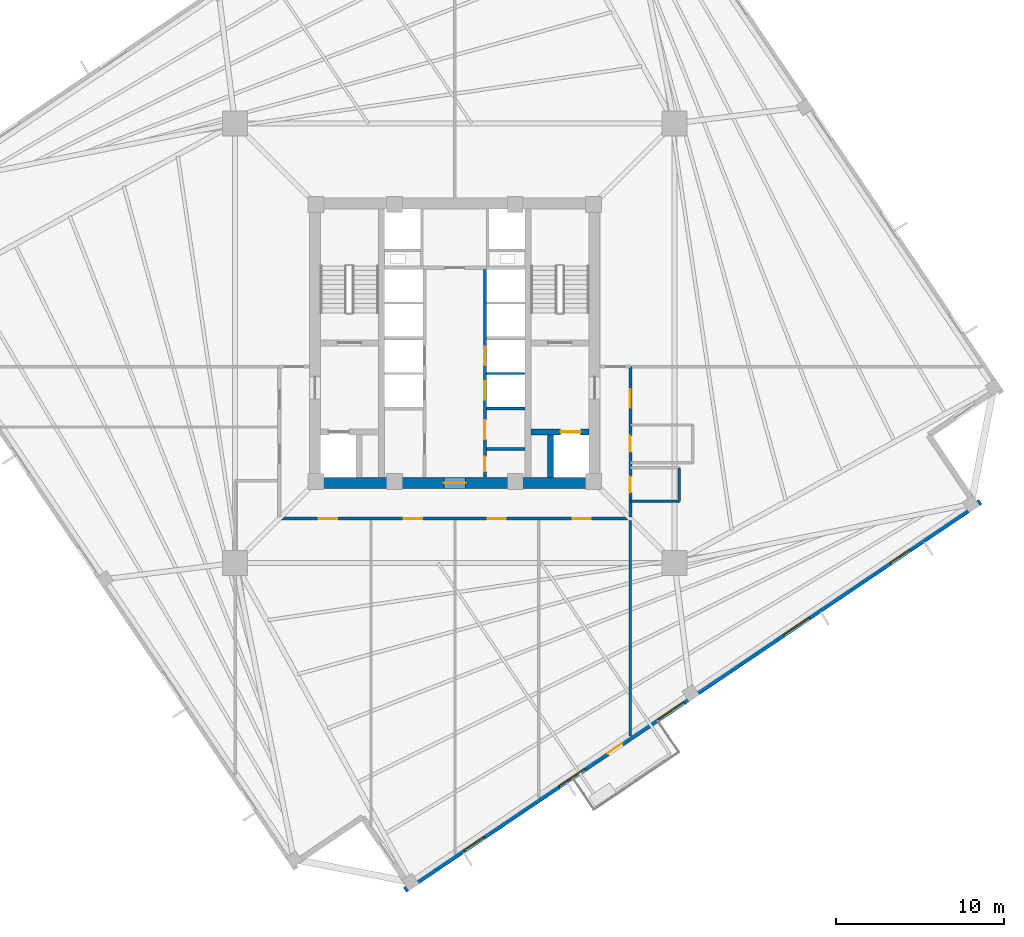
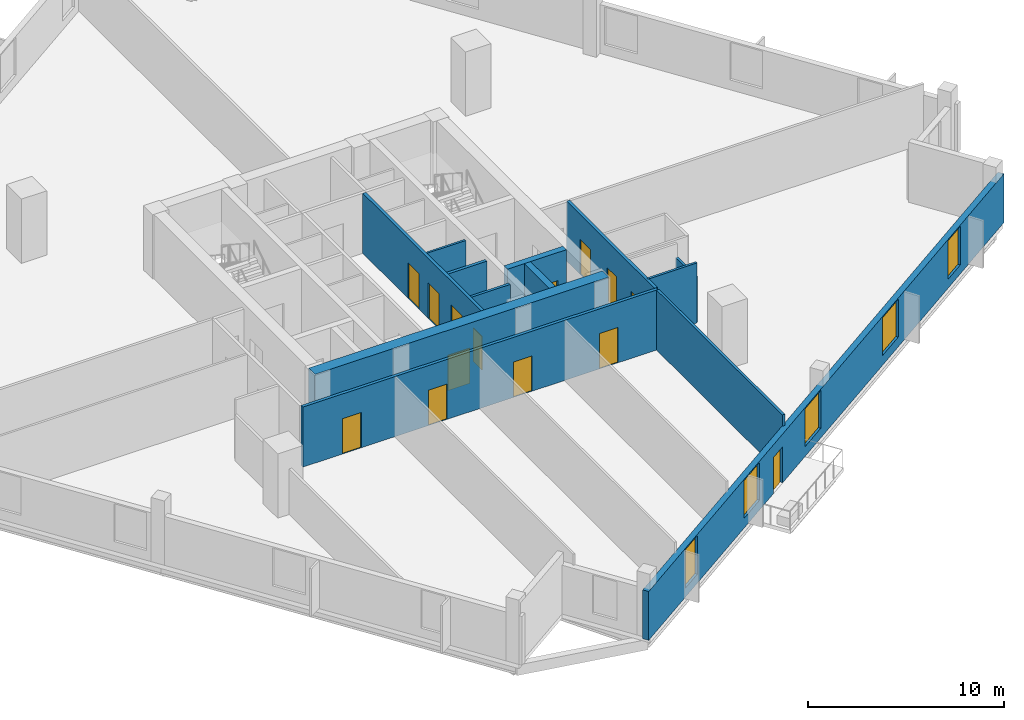
# One storey, part 3 of 8: 14 doors, 13 walls, 5 windows, 19 openings.
"""IFC4 building model written with IfcOpenShell, lengths in metres."""

from ifc_helpers import new_model, si_unit, direction, frame, frame_2d, origin, place, context, subcontext, project, spatial, rectangle, extrude, source, transform, mapped, material, layer, layer_set, type_object, element, fill, save


model = new_model("IFC4")

# Units and contexts
model_context = context("Model", 3, precision=1e-05, world=origin(), true_north=direction((0.0, 1.0)))
body_context = subcontext(model_context, "Body", "Model", "MODEL_VIEW")
ifc_project = project(units=[si_unit("LENGTHUNIT", "METRE"), si_unit("AREAUNIT", "SQUARE_METRE"), si_unit("VOLUMEUNIT", "CUBIC_METRE"), si_unit("PLANEANGLEUNIT", "RADIAN"), si_unit("MASSUNIT", "GRAM", prefix="KILO"), si_unit("THERMODYNAMICTEMPERATUREUNIT", "KELVIN")], contexts=[model_context])

# Site, building, storey
site_placement = place(None, origin())
site = spatial("IfcSite", under=ifc_project, at=site_placement, CompositionType="ELEMENT")
building_placement = place(site_placement, origin())
building = spatial("IfcBuilding", under=site, at=building_placement, Name="Kosmvard Interchange Tower", CompositionType="ELEMENT")
storey_placement = place(building_placement, frame((0.0, 0.0, 152.39990234375)))
storey = spatial("IfcBuildingStorey", under=building, at=storey_placement, Name="L36", CompositionType="ELEMENT", Elevation=152.39990234375)

# Walls
ifc_material_1 = material(Name="Acoustic gypsum partition system")
ifc_layer_1 = layer(ifc_material_1, 0.14990234375, Name="Acoustic gypsum partition system")
ifc_layer_set_1 = layer_set([ifc_layer_1], Name="Acoustic gypsum partition system")
wall_type_1 = type_object("IfcWallType", Name="Acoustic Suite & Meeting Partition 150", PredefinedType="PARTITIONING", material=ifc_layer_set_1)
wall_1_placement = place(storey_placement, frame((10.449951171875, -23.378173828125, 0.0), z_axis=(0.0, 0.0, 1.0), x_axis=(0.0, 1.0, 0.0)))
element("IfcWall", 1, at=wall_1_placement, inside=storey, type_object=wall_type_1, Name="L36 Room Partition 10.1", PredefinedType="PARTITIONING", context=body_context, shape_type="SweptSolid", body=[
    extrude(rectangle(XDim=12.833251953125, YDim=0.14990234375, at=frame_2d((6.41650390625, 0.0))), origin(), (0.0, 0.0, 1.0), 3.739990234375),
])
ifc_material_2 = material(Name="Fire-rated gypsum partition system")
ifc_layer_2 = layer(ifc_material_2, 0.159912109375, Name="Fire-rated gypsum partition system")
ifc_layer_set_2 = layer_set([ifc_layer_2], Name="Fire-rated gypsum partition system")
wall_type_2 = type_object("IfcWallType", Name="Core Compartment & Shuttle Lobby Partition 160", PredefinedType="PARTITIONING", material=ifc_layer_set_2)
wall_2_placement = place(storey_placement, frame((1.889892578125, -6.300048828125, 0.0), z_axis=(0.0, 0.0, 1.0), x_axis=(1.0, 0.0, 0.0)))
element("IfcWall", 2, at=wall_2_placement, inside=storey, type_object=wall_type_2, Name="L36 Reclaimed Split E", PredefinedType="PARTITIONING", context=body_context, shape_type="SweptSolid", body=[
    extrude(rectangle(XDim=2.280029296875, YDim=0.159912109375, at=frame_2d((1.14013671875, 0.0))), origin(), (0.0, 0.0, 1.0), 3.739990234375),
])

# Wall, openings, doors
ifc_layer_3 = layer(ifc_material_2, 0.179931640625, Name="Fire-rated gypsum partition system")
ifc_layer_set_3 = layer_set([ifc_layer_3], Name="Fire-rated gypsum partition system")
wall_type_3 = type_object("IfcWallType", Name="Corridor & Hotel Compartment Partition 180", PredefinedType="PARTITIONING", material=ifc_layer_set_3)
wall_3_placement = place(storey_placement, frame((1.7900390625, -7.97998046875, 0.0), z_axis=(0.0, 0.0, 1.0), x_axis=(0.0, 1.0, 0.0)))
wall_3 = element("IfcWall", 3, at=wall_3_placement, inside=storey, type_object=wall_type_3, Name="L36 East Lift Bank Front Wall", PredefinedType="PARTITIONING", context=body_context, shape_type="SweptSolid", body=[
    extrude(rectangle(XDim=12.3798828125, YDim=0.179931640625, at=frame_2d((6.18994140625, 0.0))), origin(), (0.0, 0.0, 1.0), 3.739990234375),
])
opening_1_placement = place(wall_3_placement, frame((4.60009765625, 0.0, 0.0)))
opening_1 = element("IfcOpeningElement", 4, at=opening_1_placement, cuts=wall_3, Name="Opening LD-PL-M3-L36", PredefinedType="OPENING", context=body_context, shape_type="SweptSolid", body=[
    extrude(rectangle(XDim=1.10009765625, YDim=2.199951171875, at=frame_2d((0.550048828125, 1.10009765625))), frame((0.0, 0.10009765625, 0.0), z_axis=(0.0, -1.0, 0.0), x_axis=(1.0, 0.0, 0.0)), (0.0, 0.0, 1.0), 0.199951171875),
])
opening_2_placement = place(wall_3_placement, frame((6.659912109375, 0.0, 0.0)))
opening_2 = element("IfcOpeningElement", 5, at=opening_2_placement, cuts=wall_3, Name="Opening LD-PL-M4-L36", PredefinedType="OPENING", context=body_context, shape_type="SweptSolid", body=[
    extrude(rectangle(XDim=1.10009765625, YDim=2.199951171875, at=frame_2d((0.550048828125, 1.10009765625))), frame((0.0, 0.10009765625, 0.0), z_axis=(0.0, -1.0, 0.0), x_axis=(1.0, 0.0, 0.0)), (0.0, 0.0, 1.0), 0.199951171875),
])
opening_3_placement = place(wall_3_placement, frame((0.35009765625, 0.0, 0.0)))
opening_3 = element("IfcOpeningElement", 6, at=opening_3_placement, cuts=wall_3, Name="Opening L36-CD2", PredefinedType="OPENING", context=body_context, shape_type="SweptSolid", body=[
    extrude(rectangle(XDim=0.8798828125, YDim=2.10009765625, at=frame_2d((0.43994140625, 1.050048828125))), frame((0.0, 0.10009765625, 0.0), z_axis=(0.0, -1.0, 0.0), x_axis=(1.0, 0.0, 0.0)), (0.0, 0.0, 1.0), 0.199951171875),
])
opening_4_placement = place(wall_3_placement, frame((2.25, 0.0, 0.0)))
opening_4 = element("IfcOpeningElement", 7, at=opening_4_placement, cuts=wall_3, Name="Opening L36-CD3", PredefinedType="OPENING", context=body_context, shape_type="SweptSolid", body=[
    extrude(rectangle(XDim=1.14990234375, YDim=2.25, at=frame_2d((0.574951171875, 1.125))), frame((0.0, 0.10009765625, 0.0), z_axis=(0.0, -1.0, 0.0), x_axis=(1.0, 0.0, 0.0)), (0.0, 0.0, 1.0), 0.199951171875),
])
ifc_material_3 = material(Name="Painted fire-rated steel leaf", Category="steel")
door_type_1 = type_object("IfcDoorType", Name="Plant & Riser Fire Door 1150x2250 EI60", OperationType="NOTDEFINED", PredefinedType="DOOR", material=ifc_material_3)
shared_shape_1 = source(origin(), body_context, "Body", "SweptSolid", [
    extrude(rectangle(XDim=1.14990234375, YDim=2.25, at=frame_2d((0.574951171875, 1.125))), frame((0.0, 0.02490234375, 0.0), z_axis=(0.0, -1.0, 0.0), x_axis=(1.0, 0.0, 0.0)), (0.0, 0.0, 1.0), 0.050048828125),
])
door_1_placement = place(opening_4_placement, frame((1.14990234375, 0.0, 0.0), z_axis=(0.0, 0.0, 1.0), x_axis=(-1.0, 0.0, 0.0)))
door_1 = element("IfcDoor", 8, at=door_1_placement, inside=storey, type_object=door_type_1, Name="L36 Core Pantry Door", OperationType="SINGLE_SWING_LEFT", OverallHeight=2.25, OverallWidth=1.14990234375, PredefinedType="DOOR", context=body_context, shape_type="MappedRepresentation", body=[
    mapped(shared_shape_1, transform((0.0, 0.0, 0.0), scale=1.0)),
])
fill(opening_4, door_1)
ifc_material_4 = material(Name="Brushed stainless steel sliding leaf", Category="steel")
door_type_2 = type_object("IfcDoorType", Name="Passenger Lift Sliding Landing Door 1100x2200 EI60", OperationType="DOUBLE_DOOR_SLIDING", PredefinedType="DOOR", material=ifc_material_4)
shared_shape_2 = source(origin(), body_context, "Body", "SweptSolid", [
    extrude(rectangle(XDim=1.10009765625, YDim=2.199951171875, at=frame_2d((0.550048828125, 1.10009765625))), frame((0.0, 0.02490234375, 0.0), z_axis=(0.0, -1.0, 0.0), x_axis=(1.0, 0.0, 0.0)), (0.0, 0.0, 1.0), 0.050048828125),
])
door_2_placement = place(opening_1_placement, origin())
door_2 = element("IfcDoor", 9, at=door_2_placement, inside=storey, type_object=door_type_2, Name="Lift PL-M3 Landing Door L36", OperationType="DOUBLE_DOOR_SLIDING", OverallHeight=2.199951171875, OverallWidth=1.10009765625, PredefinedType="DOOR", context=body_context, shape_type="MappedRepresentation", body=[
    mapped(shared_shape_2, transform((0.0, 0.0, 0.0), scale=1.0)),
])
fill(opening_1, door_2)
door_3_placement = place(opening_2_placement, origin())
door_3 = element("IfcDoor", 10, at=door_3_placement, inside=storey, type_object=door_type_2, Name="Lift PL-M4 Landing Door L36", OperationType="DOUBLE_DOOR_SLIDING", OverallHeight=2.199951171875, OverallWidth=1.10009765625, PredefinedType="DOOR", context=body_context, shape_type="MappedRepresentation", body=[
    mapped(shared_shape_2, transform((0.0, 0.0, 0.0), scale=1.0)),
])
fill(opening_2, door_3)
ifc_material_5 = material(Name="Painted fire-rated timber leaf", Category="wood")
door_type_3 = type_object("IfcDoorType", Name="Core Cupboard Fire Door 880x2100 EI30", OperationType="NOTDEFINED", PredefinedType="DOOR", material=ifc_material_5)
shared_shape_3 = source(origin(), body_context, "Body", "SweptSolid", [
    extrude(rectangle(XDim=0.8798828125, YDim=2.10009765625, at=frame_2d((0.43994140625, 1.050048828125))), frame((0.0, 0.02490234375, 0.0), z_axis=(0.0, -1.0, 0.0), x_axis=(1.0, 0.0, 0.0)), (0.0, 0.0, 1.0), 0.050048828125),
])
door_4_placement = place(opening_3_placement, frame((0.8798828125, 0.0, 0.0), z_axis=(0.0, 0.0, 1.0), x_axis=(-1.0, 0.0, 0.0)))
door_4 = element("IfcDoor", 11, at=door_4_placement, inside=storey, type_object=door_type_3, Name="L36 Core Cleaner Door", OperationType="SINGLE_SWING_RIGHT", OverallHeight=2.10009765625, OverallWidth=0.8798828125, PredefinedType="DOOR", context=body_context, shape_type="MappedRepresentation", body=[
    mapped(shared_shape_3, transform((0.0, 0.0, 0.0), scale=1.0)),
])
fill(opening_3, door_4)

wall_4_placement = place(storey_placement, frame((-10.449951171875, -10.449951171875, 0.0), z_axis=(0.0, 0.0, 1.0), x_axis=(1.0, 0.0, 0.0)))
wall_4 = element("IfcWall", 12, at=wall_4_placement, inside=storey, type_object=wall_type_3, Name="L36 Corridor Wall CS", PredefinedType="PARTITIONING", context=body_context, shape_type="SweptSolid", body=[
    extrude(rectangle(XDim=20.89990234375, YDim=0.179931640625, at=frame_2d((10.449951171875, 0.0))), origin(), (0.0, 0.0, 1.0), 3.739990234375),
])
opening_5_placement = place(wall_4_placement, frame((2.33935546875, 0.0, 0.0)))
opening_5 = element("IfcOpeningElement", 13, at=opening_5_placement, cuts=wall_4, Name="Opening L36-D07", PredefinedType="OPENING", context=body_context, shape_type="SweptSolid", body=[
    extrude(rectangle(XDim=1.10009765625, YDim=2.199951171875, at=frame_2d((0.550048828125, 1.10009765625))), frame((0.0, 0.10009765625, 0.0), z_axis=(0.0, -1.0, 0.0), x_axis=(1.0, 0.0, 0.0)), (0.0, 0.0, 1.0), 0.199951171875),
])
opening_6_placement = place(wall_4_placement, frame((7.39990234375, 0.0, 0.0)))
opening_6 = element("IfcOpeningElement", 14, at=opening_6_placement, cuts=wall_4, Name="Opening L36-D08", PredefinedType="OPENING", context=body_context, shape_type="SweptSolid", body=[
    extrude(rectangle(XDim=1.10009765625, YDim=2.199951171875, at=frame_2d((0.550048828125, 1.10009765625))), frame((0.0, 0.10009765625, 0.0), z_axis=(0.0, -1.0, 0.0), x_axis=(1.0, 0.0, 0.0)), (0.0, 0.0, 1.0), 0.199951171875),
])
opening_7_placement = place(wall_4_placement, frame((12.39990234375, 0.0, 0.0)))
opening_7 = element("IfcOpeningElement", 15, at=opening_7_placement, cuts=wall_4, Name="Opening L36-D09", PredefinedType="OPENING", context=body_context, shape_type="SweptSolid", body=[
    extrude(rectangle(XDim=1.10009765625, YDim=2.199951171875, at=frame_2d((0.550048828125, 1.10009765625))), frame((0.0, 0.10009765625, 0.0), z_axis=(0.0, -1.0, 0.0), x_axis=(1.0, 0.0, 0.0)), (0.0, 0.0, 1.0), 0.199951171875),
])
opening_8_placement = place(wall_4_placement, frame((17.46044921875, 0.0, 0.0)))
opening_8 = element("IfcOpeningElement", 16, at=opening_8_placement, cuts=wall_4, Name="Opening L36-D10", PredefinedType="OPENING", context=body_context, shape_type="SweptSolid", body=[
    extrude(rectangle(XDim=1.10009765625, YDim=2.199951171875, at=frame_2d((0.550048828125, 1.10009765625))), frame((0.0, 0.10009765625, 0.0), z_axis=(0.0, -1.0, 0.0), x_axis=(1.0, 0.0, 0.0)), (0.0, 0.0, 1.0), 0.199951171875),
])
ifc_material_6 = material(Name="Engineered oak fire-rated timber", Category="wood")
door_type_4 = type_object("IfcDoorType", Name="Office Suite Entrance Door 1100x2200 FD30S", OperationType="NOTDEFINED", PredefinedType="DOOR", material=ifc_material_6)
door_5_placement = place(opening_5_placement, frame((1.10009765625, 0.0, 0.0), z_axis=(0.0, 0.0, 1.0), x_axis=(-1.0, 0.0, 0.0)))
door_5 = element("IfcDoor", 17, at=door_5_placement, inside=storey, type_object=door_type_4, Name="L36 South-West Corner Office 2 Door", OperationType="SINGLE_SWING_LEFT", OverallHeight=2.199951171875, OverallWidth=1.10009765625, PredefinedType="DOOR", context=body_context, shape_type="MappedRepresentation", body=[
    mapped(shared_shape_2, transform((0.0, 0.0, 0.0), scale=1.0)),
])
fill(opening_5, door_5)
door_6_placement = place(opening_6_placement, frame((1.10009765625, 0.0, 0.0), z_axis=(0.0, 0.0, 1.0), x_axis=(-1.0, 0.0, 0.0)))
door_6 = element("IfcDoor", 18, at=door_6_placement, inside=storey, type_object=door_type_4, Name="L36 South Briefing Room 1 Door", OperationType="SINGLE_SWING_RIGHT", OverallHeight=2.199951171875, OverallWidth=1.10009765625, PredefinedType="DOOR", context=body_context, shape_type="MappedRepresentation", body=[
    mapped(shared_shape_2, transform((0.0, 0.0, 0.0), scale=1.0)),
])
fill(opening_6, door_6)
door_7_placement = place(opening_7_placement, frame((1.10009765625, 0.0, 0.0), z_axis=(0.0, 0.0, 1.0), x_axis=(-1.0, 0.0, 0.0)))
door_7 = element("IfcDoor", 19, at=door_7_placement, inside=storey, type_object=door_type_4, Name="L36 South Boardroom 2 Door", OperationType="SINGLE_SWING_LEFT", OverallHeight=2.199951171875, OverallWidth=1.10009765625, PredefinedType="DOOR", context=body_context, shape_type="MappedRepresentation", body=[
    mapped(shared_shape_2, transform((0.0, 0.0, 0.0), scale=1.0)),
])
fill(opening_7, door_7)
door_8_placement = place(opening_8_placement, frame((1.10009765625, 0.0, 0.0), z_axis=(0.0, 0.0, 1.0), x_axis=(-1.0, 0.0, 0.0)))
door_8 = element("IfcDoor", 20, at=door_8_placement, inside=storey, type_object=door_type_4, Name="L36 South Advisory Office 3 Door", OperationType="SINGLE_SWING_RIGHT", OverallHeight=2.199951171875, OverallWidth=1.10009765625, PredefinedType="DOOR", context=body_context, shape_type="MappedRepresentation", body=[
    mapped(shared_shape_2, transform((0.0, 0.0, 0.0), scale=1.0)),
])
fill(opening_8, door_8)

wall_5_placement = place(storey_placement, frame((10.449951171875, -10.35009765625, 0.0), z_axis=(0.0, 0.0, 1.0), x_axis=(0.0, 1.0, 0.0)))
wall_5 = element("IfcWall", 21, at=wall_5_placement, inside=storey, type_object=wall_type_3, Name="L36 Corridor Wall CE", PredefinedType="PARTITIONING", context=body_context, shape_type="SweptSolid", body=[
    extrude(rectangle(XDim=8.9501953125, YDim=0.179931640625, at=frame_2d((4.47509765625, 0.0))), origin(), (0.0, 0.0, 1.0), 3.739990234375),
])
opening_9_placement = place(wall_5_placement, frame((1.455078125, 0.0, 0.0)))
opening_9 = element("IfcOpeningElement", 22, at=opening_9_placement, cuts=wall_5, Name="Opening L36-D01", PredefinedType="OPENING", context=body_context, shape_type="SweptSolid", body=[
    extrude(rectangle(XDim=0.949951171875, YDim=2.10009765625, at=frame_2d((0.47509765625, 1.050048828125))), frame((0.0, 0.10009765625, 0.0), z_axis=(0.0, -1.0, 0.0), x_axis=(1.0, 0.0, 0.0)), (0.0, 0.0, 1.0), 0.199951171875),
])
opening_10_placement = place(wall_5_placement, frame((3.879150390625, 0.0, 0.0)))
opening_10 = element("IfcOpeningElement", 23, at=opening_10_placement, cuts=wall_5, Name="Opening L36-D02", PredefinedType="OPENING", context=body_context, shape_type="SweptSolid", body=[
    extrude(rectangle(XDim=0.949951171875, YDim=2.10009765625, at=frame_2d((0.47509765625, 1.050048828125))), frame((0.0, 0.10009765625, 0.0), z_axis=(0.0, -1.0, 0.0), x_axis=(1.0, 0.0, 0.0)), (0.0, 0.0, 1.0), 0.199951171875),
])
opening_11_placement = place(wall_5_placement, frame((6.494140625, 0.0, 0.0)))
opening_11 = element("IfcOpeningElement", 24, at=opening_11_placement, cuts=wall_5, Name="Opening L36-D11", PredefinedType="OPENING", context=body_context, shape_type="SweptSolid", body=[
    extrude(rectangle(XDim=1.10009765625, YDim=2.199951171875, at=frame_2d((0.550048828125, 1.10009765625))), frame((0.0, 0.10009765625, 0.0), z_axis=(0.0, -1.0, 0.0), x_axis=(1.0, 0.0, 0.0)), (0.0, 0.0, 1.0), 0.199951171875),
])
ifc_material_7 = material(Name="Laminated moisture-resistant timber", Category="wood")
door_type_5 = type_object("IfcDoorType", Name="Accessible Washroom Door 950x2100", OperationType="NOTDEFINED", PredefinedType="DOOR", material=ifc_material_7)
shared_shape_4 = source(origin(), body_context, "Body", "SweptSolid", [
    extrude(rectangle(XDim=0.949951171875, YDim=2.10009765625, at=frame_2d((0.47509765625, 1.050048828125))), frame((0.0, 0.02490234375, 0.0), z_axis=(0.0, -1.0, 0.0), x_axis=(1.0, 0.0, 0.0)), (0.0, 0.0, 1.0), 0.050048828125),
])
door_9_placement = place(opening_9_placement, frame((0.949951171875, 0.0, 0.0), z_axis=(0.0, 0.0, 1.0), x_axis=(-1.0, 0.0, 0.0)))
door_9 = element("IfcDoor", 25, at=door_9_placement, inside=storey, type_object=door_type_5, Name="L36 Accessible Toilet Door", OperationType="SINGLE_SWING_LEFT", OverallHeight=2.10009765625, OverallWidth=0.949951171875, PredefinedType="DOOR", context=body_context, shape_type="MappedRepresentation", body=[
    mapped(shared_shape_4, transform((0.0, 0.0, 0.0), scale=1.0)),
])
fill(opening_9, door_9)
door_10_placement = place(opening_10_placement, frame((0.949951171875, 0.0, 0.0), z_axis=(0.0, 0.0, 1.0), x_axis=(-1.0, 0.0, 0.0)))
door_10 = element("IfcDoor", 26, at=door_10_placement, inside=storey, type_object=door_type_5, Name="L36 Public Floor Washroom Door", OperationType="SINGLE_SWING_RIGHT", OverallHeight=2.10009765625, OverallWidth=0.949951171875, PredefinedType="DOOR", context=body_context, shape_type="MappedRepresentation", body=[
    mapped(shared_shape_4, transform((0.0, 0.0, 0.0), scale=1.0)),
])
fill(opening_10, door_10)
door_11_placement = place(opening_11_placement, frame((1.10009765625, 0.0, 0.0), z_axis=(0.0, 0.0, 1.0), x_axis=(-1.0, 0.0, 0.0)))
door_11 = element("IfcDoor", 27, at=door_11_placement, inside=storey, type_object=door_type_4, Name="L36 South-East Open Engineering Studio Door", OperationType="SINGLE_SWING_LEFT", OverallHeight=2.199951171875, OverallWidth=1.10009765625, PredefinedType="DOOR", context=body_context, shape_type="MappedRepresentation", body=[
    mapped(shared_shape_2, transform((0.0, 0.0, 0.0), scale=1.0)),
])
fill(opening_11, door_11)

# Wall, opening, door
ifc_material_8 = material(Name="Concrete C70/85", Category="concrete")
ifc_layer_4 = layer(ifc_material_8, 0.64990234375, Name="Concrete C70/85")
ifc_layer_set_4 = layer_set([ifc_layer_4], Name="Concrete C70/85")
wall_type_4 = type_object("IfcWallType", Name="Mid Core Shear Wall 650 C70/85", PredefinedType="SHEAR", material=ifc_layer_set_4)
wall_6_placement = place(storey_placement, frame((-8.64990234375, -8.324951171875, 0.0), z_axis=(0.0, 0.0, 1.0), x_axis=(1.0, 0.0, 0.0)))
wall_6 = element("IfcWall", 28, at=wall_6_placement, inside=storey, type_object=wall_type_4, Name="L36 Core Shear Wall CW-S", PredefinedType="SHEAR", context=body_context, shape_type="SweptSolid", body=[
    extrude(rectangle(XDim=17.2998046875, YDim=0.64990234375, at=frame_2d((8.64990234375, 0.0))), origin(), (0.0, 0.0, 1.0), 4.0),
])
opening_12_placement = place(wall_6_placement, frame((8.0, 0.0, 0.0)))
opening_12 = element("IfcOpeningElement", 29, at=opening_12_placement, cuts=wall_6, Name="Opening L36-LD0", PredefinedType="OPENING", context=body_context, shape_type="SweptSolid", body=[
    extrude(rectangle(XDim=1.300048828125, YDim=2.199951171875, at=frame_2d((0.64990234375, 1.10009765625))), frame((0.0, 0.3349609375, 0.0), z_axis=(0.0, -1.0, 0.0), x_axis=(1.0, 0.0, 0.0)), (0.0, 0.0, 1.0), 0.669921875),
])
door_type_6 = type_object("IfcDoorType", Name="Firefighting Lobby Door 1300x2200 EI60", OperationType="NOTDEFINED", PredefinedType="DOOR", material=ifc_material_3)
shared_shape_5 = source(origin(), body_context, "Body", "SweptSolid", [
    extrude(rectangle(XDim=1.300048828125, YDim=2.199951171875, at=frame_2d((0.64990234375, 1.10009765625))), frame((0.0, 0.02490234375, 0.0), z_axis=(0.0, -1.0, 0.0), x_axis=(1.0, 0.0, 0.0)), (0.0, 0.0, 1.0), 0.050048828125),
])
door_12_placement = place(opening_12_placement, frame((1.300048828125, 0.0, 0.0), z_axis=(0.0, 0.0, 1.0), x_axis=(-1.0, 0.0, 0.0)))
door_12 = element("IfcDoor", 30, at=door_12_placement, inside=storey, type_object=door_type_6, Name="L36 Passenger Lift Lobby South Door", OperationType="SINGLE_SWING_RIGHT", OverallHeight=2.199951171875, OverallWidth=1.300048828125, PredefinedType="DOOR", context=body_context, shape_type="MappedRepresentation", body=[
    mapped(shared_shape_5, transform((0.0, 0.0, 0.0), scale=1.0)),
])
fill(opening_12, door_12)

# Wall, openings, door, windows
ifc_material_9 = material(Name="Precast concrete C45/55", Category="concrete")
ifc_layer_5 = layer(ifc_material_9, 0.340087890625, Name="Precast concrete C45/55")
ifc_layer_set_5 = layer_set([ifc_layer_5], Name="Precast concrete C45/55")
wall_type_5 = type_object("IfcWallType", Name="Mid Tower Precast Pier Wall 340 C45/55", PredefinedType="STANDARD", material=ifc_layer_set_5)
wall_7_placement = place(storey_placement, frame((-2.971923828125, -32.55810546875, 0.0), z_axis=(0.0, 0.0, 1.0), x_axis=(0.829036218961, 0.559194910251, 0.0)))
wall_7 = element("IfcWall", 31, at=wall_7_placement, inside=storey, type_object=wall_type_5, Name="L36 Precast Facade Wall F-S", PredefinedType="STANDARD", context=body_context, shape_type="SweptSolid", body=[
    extrude(rectangle(XDim=41.340087890625, YDim=0.340087890625, at=frame_2d((20.669921875, 0.0))), origin(), (0.0, 0.0, 1.0), 3.0400390625),
])
opening_13_placement = place(wall_7_placement, frame((14.544921875, 0.0, 0.0)))
opening_13 = element("IfcOpeningElement", 32, at=opening_13_placement, cuts=wall_7, Name="Opening L36-BDS", PredefinedType="OPENING", context=body_context, shape_type="SweptSolid", body=[
    extrude(rectangle(XDim=1.050048828125, YDim=2.25, at=frame_2d((0.52490234375, 1.125))), frame((0.0, 0.18017578125, 0.0), z_axis=(0.0, -1.0, 0.0), x_axis=(1.0, 0.0, 0.0)), (0.0, 0.0, 1.0), 0.360107421875),
])
opening_14_placement = place(wall_7_placement, frame((4.2607421875, 0.0, 0.56005859375)))
opening_14 = element("IfcOpeningElement", 33, at=opening_14_placement, cuts=wall_7, Name="Opening L36-W01", PredefinedType="OPENING", context=body_context, shape_type="SweptSolid", body=[
    extrude(rectangle(XDim=1.39990234375, YDim=2.39990234375, at=frame_2d((0.699951171875, 1.199951171875))), frame((0.0, 0.18017578125, 0.0), z_axis=(0.0, -1.0, 0.0), x_axis=(1.0, 0.0, 0.0)), (0.0, 0.0, 1.0), 0.360107421875),
])
opening_15_placement = place(wall_7_placement, frame((11.063720703125, 0.0, 0.610107421875)))
opening_15 = element("IfcOpeningElement", 34, at=opening_15_placement, cuts=wall_7, Name="Opening L36-W02", PredefinedType="OPENING", context=body_context, shape_type="SweptSolid", body=[
    extrude(rectangle(XDim=1.85009765625, YDim=2.35009765625, at=frame_2d((0.925048828125, 1.175048828125))), frame((0.0, 0.18017578125, 0.0), z_axis=(0.0, -1.0, 0.0), x_axis=(1.0, 0.0, 0.0)), (0.0, 0.0, 1.0), 0.360107421875),
])
opening_16_placement = place(wall_7_placement, frame((18.168212890625, 0.0, 0.610107421875)))
opening_16 = element("IfcOpeningElement", 35, at=opening_16_placement, cuts=wall_7, Name="Opening L36-W03", PredefinedType="OPENING", context=body_context, shape_type="SweptSolid", body=[
    extrude(rectangle(XDim=1.85009765625, YDim=2.35009765625, at=frame_2d((0.925048828125, 1.175048828125))), frame((0.0, 0.18017578125, 0.0), z_axis=(0.0, -1.0, 0.0), x_axis=(1.0, 0.0, 0.0)), (0.0, 0.0, 1.0), 0.360107421875),
])
opening_17_placement = place(wall_7_placement, frame((27.186279296875, 0.0, 0.610107421875)))
opening_17 = element("IfcOpeningElement", 36, at=opening_17_placement, cuts=wall_7, Name="Opening L36-W04", PredefinedType="OPENING", context=body_context, shape_type="SweptSolid", body=[
    extrude(rectangle(XDim=1.85009765625, YDim=2.35009765625, at=frame_2d((0.925048828125, 1.175048828125))), frame((0.0, 0.18017578125, 0.0), z_axis=(0.0, -1.0, 0.0), x_axis=(1.0, 0.0, 0.0)), (0.0, 0.0, 1.0), 0.360107421875),
])
opening_18_placement = place(wall_7_placement, frame((34.852294921875, 0.0, 0.56005859375)))
opening_18 = element("IfcOpeningElement", 37, at=opening_18_placement, cuts=wall_7, Name="Opening L36-W05", PredefinedType="OPENING", context=body_context, shape_type="SweptSolid", body=[
    extrude(rectangle(XDim=1.39990234375, YDim=2.39990234375, at=frame_2d((0.699951171875, 1.199951171875))), frame((0.0, 0.18017578125, 0.0), z_axis=(0.0, -1.0, 0.0), x_axis=(1.0, 0.0, 0.0)), (0.0, 0.0, 1.0), 0.360107421875),
])
ifc_material_10 = material(Name="Anodised aluminium and safety glass", Category="aluminium")
door_type_7 = type_object("IfcDoorType", Name="Tree-Balcony Glazed Door 1050x2250", OperationType="NOTDEFINED", PredefinedType="DOOR", material=ifc_material_10)
shared_shape_6 = source(origin(), body_context, "Body", "SweptSolid", [
    extrude(rectangle(XDim=1.050048828125, YDim=2.25, at=frame_2d((0.52490234375, 1.125))), frame((0.0, 0.02490234375, 0.0), z_axis=(0.0, -1.0, 0.0), x_axis=(1.0, 0.0, 0.0)), (0.0, 0.0, 1.0), 0.050048828125),
])
door_13_placement = place(opening_13_placement, origin())
door_13 = element("IfcDoor", 38, at=door_13_placement, inside=storey, type_object=door_type_7, Name="L36 Tree-Balcony Door BAL-L36-S", OperationType="SINGLE_SWING_LEFT", OverallHeight=2.25, OverallWidth=1.050048828125, PredefinedType="DOOR", context=body_context, shape_type="MappedRepresentation", body=[
    mapped(shared_shape_6, transform((0.0, 0.0, 0.0), scale=1.0)),
])
fill(opening_13, door_13)
ifc_material_11 = material(Name="Low-E solar-control double glazing", Category="glass")
window_type_1 = type_object("IfcWindowType", Name="Notched Corner Feature Window 1400x2400", PartitioningType="SINGLE_PANEL", PredefinedType="WINDOW", material=ifc_material_11)
shared_shape_7 = source(origin(), body_context, "Body", "SweptSolid", [
    extrude(rectangle(XDim=1.39990234375, YDim=2.39990234375, at=frame_2d((0.699951171875, 1.199951171875))), frame((0.0, 0.030029296875, 0.0), z_axis=(0.0, -1.0, 0.0), x_axis=(1.0, 0.0, 0.0)), (0.0, 0.0, 1.0), 0.06005859375),
])
window_1_placement = place(opening_14_placement, origin())
window_1 = element("IfcWindow", 39, at=window_1_placement, inside=storey, type_object=window_type_1, Name="L36 Facade Punched Window 01", OverallHeight=2.39990234375, OverallWidth=1.39990234375, PartitioningType="SINGLE_PANEL", PredefinedType="WINDOW", context=body_context, shape_type="MappedRepresentation", body=[
    mapped(shared_shape_7, transform((0.0, 0.0, 0.0), scale=1.0)),
])
fill(opening_14, window_1)
window_2_placement = place(opening_18_placement, origin())
window_2 = element("IfcWindow", 40, at=window_2_placement, inside=storey, type_object=window_type_1, Name="L36 Facade Punched Window 05", OverallHeight=2.39990234375, OverallWidth=1.39990234375, PartitioningType="SINGLE_PANEL", PredefinedType="WINDOW", context=body_context, shape_type="MappedRepresentation", body=[
    mapped(shared_shape_7, transform((0.0, 0.0, 0.0), scale=1.0)),
])
fill(opening_18, window_2)
window_type_2 = type_object("IfcWindowType", Name="Zone 3 Office Punched Window 1850x2350", PartitioningType="SINGLE_PANEL", PredefinedType="WINDOW", material=ifc_material_11)
shared_shape_8 = source(origin(), body_context, "Body", "SweptSolid", [
    extrude(rectangle(XDim=1.85009765625, YDim=2.35009765625, at=frame_2d((0.925048828125, 1.175048828125))), frame((0.0, 0.030029296875, 0.0), z_axis=(0.0, -1.0, 0.0), x_axis=(1.0, 0.0, 0.0)), (0.0, 0.0, 1.0), 0.06005859375),
])
window_3_placement = place(opening_15_placement, origin())
window_3 = element("IfcWindow", 41, at=window_3_placement, inside=storey, type_object=window_type_2, Name="L36 Facade Punched Window 02", OverallHeight=2.35009765625, OverallWidth=1.85009765625, PartitioningType="SINGLE_PANEL", PredefinedType="WINDOW", context=body_context, shape_type="MappedRepresentation", body=[
    mapped(shared_shape_8, transform((0.0, 0.0, 0.0), scale=1.0)),
])
fill(opening_15, window_3)
window_4_placement = place(opening_16_placement, origin())
window_4 = element("IfcWindow", 42, at=window_4_placement, inside=storey, type_object=window_type_2, Name="L36 Facade Punched Window 03", OverallHeight=2.35009765625, OverallWidth=1.85009765625, PartitioningType="SINGLE_PANEL", PredefinedType="WINDOW", context=body_context, shape_type="MappedRepresentation", body=[
    mapped(shared_shape_8, transform((0.0, 0.0, 0.0), scale=1.0)),
])
fill(opening_16, window_4)
window_5_placement = place(opening_17_placement, origin())
window_5 = element("IfcWindow", 43, at=window_5_placement, inside=storey, type_object=window_type_2, Name="L36 Facade Punched Window 04", OverallHeight=2.35009765625, OverallWidth=1.85009765625, PartitioningType="SINGLE_PANEL", PredefinedType="WINDOW", context=body_context, shape_type="MappedRepresentation", body=[
    mapped(shared_shape_8, transform((0.0, 0.0, 0.0), scale=1.0)),
])
fill(opening_17, window_5)

# Walls
ifc_material_12 = material(Name="Concrete blockwork masonry", Category="masonry")
ifc_layer_6 = layer(ifc_material_12, 0.179931640625, Name="Concrete blockwork masonry")
ifc_layer_set_6 = layer_set([ifc_layer_6], Name="Concrete blockwork masonry")
wall_type_6 = type_object("IfcWallType", Name="Riser & Lift Bank Divider Wall 180", PredefinedType="PARTITIONING", material=ifc_layer_set_6)
wall_8_placement = place(storey_placement, frame((1.889892578125, -3.89990234375, 0.0), z_axis=(0.0, 0.0, 1.0), x_axis=(1.0, 0.0, 0.0)))
element("IfcWall", 44, at=wall_8_placement, inside=storey, type_object=wall_type_6, Name="L36 East Bank Divider BD1", PredefinedType="PARTITIONING", context=body_context, shape_type="SweptSolid", body=[
    extrude(rectangle(XDim=2.280029296875, YDim=0.179931640625, at=frame_2d((1.14013671875, 0.0))), origin(), (0.0, 0.0, 1.0), 3.739990234375),
])
ifc_material_13 = material(Name="Fire-rated gypsum shaftwall system")
ifc_layer_7 = layer(ifc_material_13, 0.1201171875, Name="Fire-rated gypsum shaftwall system")
ifc_layer_set_7 = layer_set([ifc_layer_7], Name="Fire-rated gypsum shaftwall system")
wall_type_7 = type_object("IfcWallType", Name="Shaft & Riser Fire Partition 120 EI60", PredefinedType="PARTITIONING", material=ifc_layer_set_7)
wall_9_placement = place(storey_placement, frame((1.89990234375, -1.800048828125, 0.0), z_axis=(0.0, 0.0, 1.0), x_axis=(1.0, 0.0, 0.0)))
element("IfcWall", 45, at=wall_9_placement, inside=storey, type_object=wall_type_7, Name="L36 Shaft Divider PL-M3", PredefinedType="PARTITIONING", context=body_context, shape_type="SweptSolid", body=[
    extrude(rectangle(XDim=2.260009765625, YDim=0.1201171875, at=frame_2d((1.1298828125, 0.0))), origin(), (0.0, 0.0, 1.0), 3.739990234375),
])

# Wall, opening, door
ifc_material_14 = material(Name="Concrete C60/75", Category="concrete")
ifc_layer_8 = layer(ifc_material_14, 0.360107421875, Name="Concrete C60/75")
ifc_layer_set_8 = layer_set([ifc_layer_8], Name="Concrete C60/75")
wall_type_8 = type_object("IfcWallType", Name="Stair & Lift Shaft Shear Wall 360 C60/75", PredefinedType="SHEAR", material=ifc_layer_set_8)
wall_10_placement = place(storey_placement, frame((4.5400390625, -5.280029296875, 0.0), z_axis=(0.0, 0.0, 1.0), x_axis=(1.0, 0.0, 0.0)))
wall_10 = element("IfcWall", 46, at=wall_10_placement, inside=storey, type_object=wall_type_8, Name="L36 Shaft Shear Wall SW-FF2", PredefinedType="SHEAR", context=body_context, shape_type="SweptSolid", body=[
    extrude(rectangle(XDim=3.4599609375, YDim=0.360107421875, at=frame_2d((1.72998046875, 0.0))), origin(), (0.0, 0.0, 1.0), 4.0),
])
opening_19_placement = place(wall_10_placement, frame((1.760009765625, 0.0, 0.0)))
opening_19 = element("IfcOpeningElement", 47, at=opening_19_placement, cuts=wall_10, Name="Opening LD-FF-2-L36", PredefinedType="OPENING", context=body_context, shape_type="SweptSolid", body=[
    extrude(rectangle(XDim=1.199951171875, YDim=2.25, at=frame_2d((0.60009765625, 1.125))), frame((0.0, 0.18994140625, 0.0), z_axis=(0.0, -1.0, 0.0), x_axis=(1.0, 0.0, 0.0)), (0.0, 0.0, 1.0), 0.380126953125),
])
door_type_8 = type_object("IfcDoorType", Name="Firefighting Lift Sliding Landing Door 1200x2250 EI120", OperationType="DOUBLE_DOOR_SLIDING", PredefinedType="DOOR", material=ifc_material_4)
shared_shape_9 = source(origin(), body_context, "Body", "SweptSolid", [
    extrude(rectangle(XDim=1.199951171875, YDim=2.25, at=frame_2d((0.60009765625, 1.125))), frame((0.0, 0.02490234375, 0.0), z_axis=(0.0, -1.0, 0.0), x_axis=(1.0, 0.0, 0.0)), (0.0, 0.0, 1.0), 0.050048828125),
])
door_14_placement = place(opening_19_placement, origin())
door_14 = element("IfcDoor", 48, at=door_14_placement, inside=storey, type_object=door_type_8, Name="Lift FF-2 Landing Door L36", OperationType="DOUBLE_DOOR_SLIDING", OverallHeight=2.25, OverallWidth=1.199951171875, PredefinedType="DOOR", context=body_context, shape_type="MappedRepresentation", body=[
    mapped(shared_shape_9, transform((0.0, 0.0, 0.0), scale=1.0)),
])
fill(opening_19, door_14)

# Walls
wall_11_placement = place(storey_placement, frame((5.7099609375, -8.0, 0.0), z_axis=(0.0, 0.0, 1.0), x_axis=(0.0, 1.0, 0.0)))
element("IfcWall", 49, at=wall_11_placement, inside=storey, type_object=wall_type_8, Name="L36 Shaft Shear Wall SW-SM2", PredefinedType="SHEAR", context=body_context, shape_type="SweptSolid", body=[
    extrude(rectangle(XDim=2.5400390625, YDim=0.360107421875, at=frame_2d((1.27001953125, 0.0))), origin(), (0.0, 0.0, 1.0), 4.0),
])
ifc_material_15 = material(Name="Moisture-resistant gypsum partition")
ifc_layer_9 = layer(ifc_material_15, 0.135009765625, Name="Moisture-resistant gypsum partition")
ifc_layer_set_9 = layer_set([ifc_layer_9], Name="Moisture-resistant gypsum partition")
wall_type_9 = type_object("IfcWallType", Name="Wet Room Moisture-Resistant Partition 135", PredefinedType="PARTITIONING", material=ifc_layer_set_9)
wall_12_placement = place(storey_placement, frame((10.469970703125, -9.419921875, 0.0), z_axis=(0.0, 0.0, 1.0), x_axis=(1.0, 0.0, 0.0)))
element("IfcWall", 50, at=wall_12_placement, inside=storey, type_object=wall_type_9, Name="L36 Washroom Partition AWC1-S", PredefinedType="PARTITIONING", context=body_context, shape_type="SweptSolid", body=[
    extrude(rectangle(XDim=2.900146484375, YDim=0.135009765625, at=frame_2d((1.4501953125, 0.0))), origin(), (0.0, 0.0, 1.0), 3.739990234375),
])
wall_13_placement = place(storey_placement, frame((13.3701171875, -9.419921875, 0.0), z_axis=(0.0, 0.0, 1.0), x_axis=(0.0, 1.0, 0.0)))
element("IfcWall", 51, at=wall_13_placement, inside=storey, type_object=wall_type_9, Name="L36 Washroom Partition AWC1-E", PredefinedType="PARTITIONING", context=body_context, shape_type="SweptSolid", body=[
    extrude(rectangle(XDim=2.0, YDim=0.135009765625, at=frame_2d((1.0, 0.0))), origin(), (0.0, 0.0, 1.0), 2.840087890625),
])

save(model, "model.ifc")
